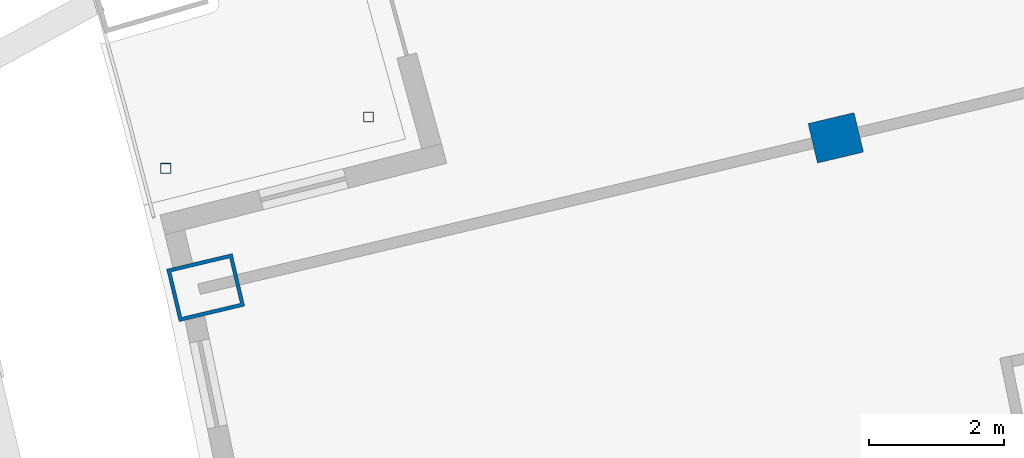
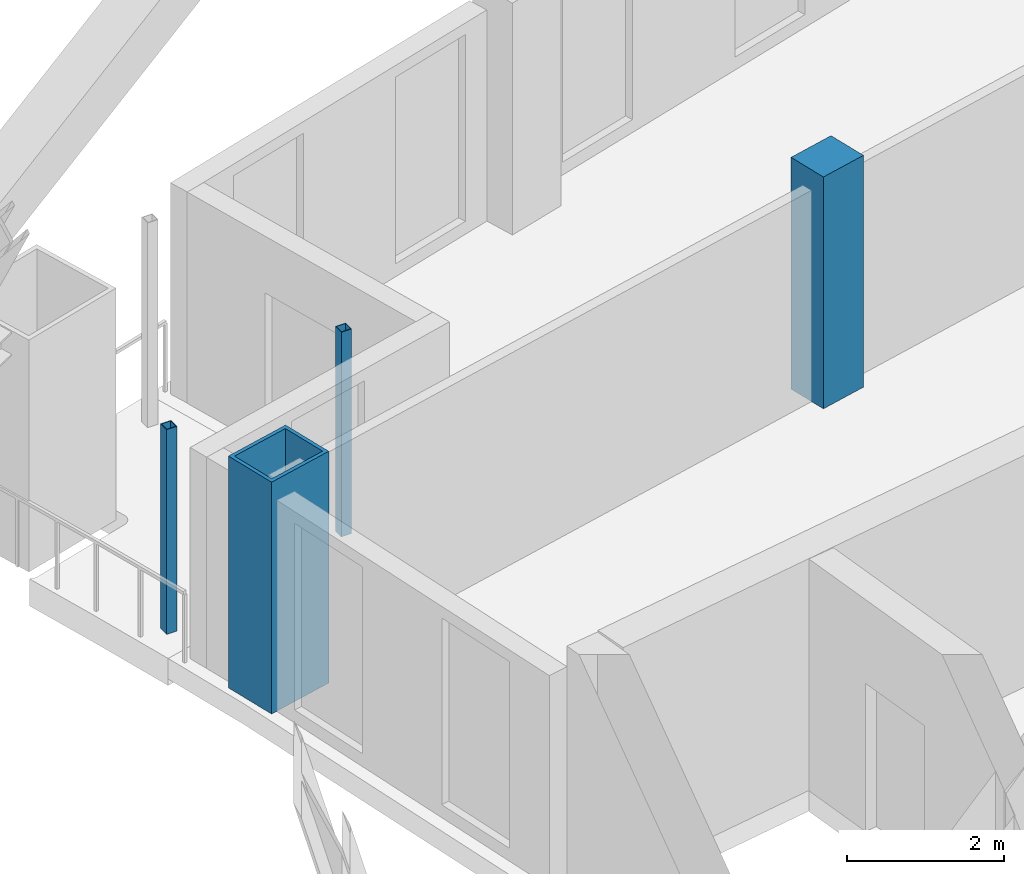
# One storey, part 3 of 16: 4 columns.
"""IFC4 building model written with IfcOpenShell, lengths in metres."""

from ifc_helpers import new_model, si_unit, direction, frame, origin, origin_2d, place, context, subcontext, project, spatial, rectangle, hollow_rectangle, extrude, material, material_profile, profile_set, type_object, element, save


model = new_model("IFC4")

# Units and contexts
model_context = context("Model", 3, precision=1e-05, world=origin(), true_north=direction((0.0, 1.0)))
body_context = subcontext(model_context, "Body", "Model", "MODEL_VIEW")
ifc_project = project(units=[si_unit("LENGTHUNIT", "METRE"), si_unit("AREAUNIT", "SQUARE_METRE"), si_unit("VOLUMEUNIT", "CUBIC_METRE"), si_unit("PLANEANGLEUNIT", "RADIAN"), si_unit("MASSUNIT", "GRAM", prefix="KILO")], contexts=[model_context])

# Site, building, storey
site_placement = place(None, origin())
site = spatial("IfcSite", under=ifc_project, at=site_placement, CompositionType="ELEMENT")
building_placement = place(site_placement, origin())
building = spatial("IfcBuilding", under=site, at=building_placement, Name="Alderwake Tower", CompositionType="ELEMENT")
storey_placement = place(building_placement, frame((0.0, 0.0, 245.60009765625)))
storey = spatial("IfcBuildingStorey", under=building, at=storey_placement, Name="L60", CompositionType="ELEMENT", Elevation=245.60009765625)

# Columns
ifc_material_1 = material(Name="Concrete C70/85", Category="concrete")
ifc_material_profile_1 = material_profile(ifc_material_1, rectangle(XDim=0.60009765625, YDim=0.699951171875, at=origin_2d()), Name="RC 700X600")
ifc_profile_set_1 = profile_set([ifc_material_profile_1], Name="Concrete C70/85")
column_type_1 = type_object("IfcColumnType", Name="Interior column Z5", PredefinedType="COLUMN", material=ifc_profile_set_1)
column_1_placement = place(storey_placement, frame((23.322021484375, 85.555908203125, 0.0), z_axis=(0.0, 0.0, 1.0), x_axis=(-0.231221547198, 0.972901123502, 0.0)))
element("IfcColumn", 1, at=column_1_placement, inside=storey, type_object=column_type_1, Name="Column R11-C1", PredefinedType="COLUMN", context=body_context, shape_type="SweptSolid", body=[
    extrude(rectangle(XDim=0.60009765625, YDim=0.699951171875, at=origin_2d()), origin(), (0.0, 0.0, 1.0), 3.599853515625),
])
ifc_material_2 = material(Name="Steel ASTM A500 Grade C", Category="steel")
ifc_material_profile_2 = material_profile(ifc_material_2, hollow_rectangle(XDim=0.15234375, YDim=0.15234375, WallThickness=0.0087890625, at=origin_2d()), Name="HSS6X6X3/8")
ifc_profile_set_2 = profile_set([ifc_material_profile_2], Name="Steel ASTM A500 Grade C")
column_type_2 = type_object("IfcColumnType", Name="Light post HSS6X6X3/8", PredefinedType="COLUMN", material=ifc_profile_set_2)
for number, where, z_axis, x_axis, name in (
    (2, (13.3896484375, 85.103515625, 0.0), (0.0, 0.0, 1.0), (1.0, 0.0, 0.0), "Terrace post RN1"),
    (3, (16.39501953125, 85.864013671875, 0.0), (0.0, 0.0, 1.0), (1.0, 0.0, 0.0), "Terrace post RN3"),
):
    element("IfcColumn", number, at=place(storey_placement, frame(where, z_axis=z_axis, x_axis=x_axis)), inside=storey, type_object=column_type_2, Name=name, PredefinedType="COLUMN", context=body_context, shape_type="SweptSolid", body=[
        extrude(hollow_rectangle(XDim=0.15234375, YDim=0.15234375, WallThickness=0.0087890625, at=origin_2d()), origin(), (0.0, 0.0, 1.0), 3.179931640625),
    ])
ifc_material_3 = material(Name="Steel ASTM A572 Grade 50 concrete filled C70/85", Category="concrete")
ifc_material_profile_3 = material_profile(ifc_material_3, hollow_rectangle(XDim=0.800048828125, YDim=1.0, WallThickness=0.054931640625, at=origin_2d()), Name="BOX 1000X800X55")
ifc_profile_set_3 = profile_set([ifc_material_profile_3], Name="Steel ASTM A572 Grade 50 concrete filled C70/85")
column_type_3 = type_object("IfcColumnType", Name="Perimeter column Z5", PredefinedType="COLUMN", material=ifc_profile_set_3)
column_2_placement = place(storey_placement, frame((13.982177734375, 83.3359375, 0.0), z_axis=(0.0, 0.0, 1.0), x_axis=(-0.231221547198, 0.972901123502, 0.0)))
element("IfcColumn", 4, at=column_2_placement, inside=storey, type_object=column_type_3, Name="Column R11-C0", PredefinedType="COLUMN", context=body_context, shape_type="SweptSolid", body=[
    extrude(hollow_rectangle(XDim=0.800048828125, YDim=1.0, WallThickness=0.054931640625, at=origin_2d()), origin(), (0.0, 0.0, 1.0), 3.599853515625),
])

save(model, "model.ifc")
